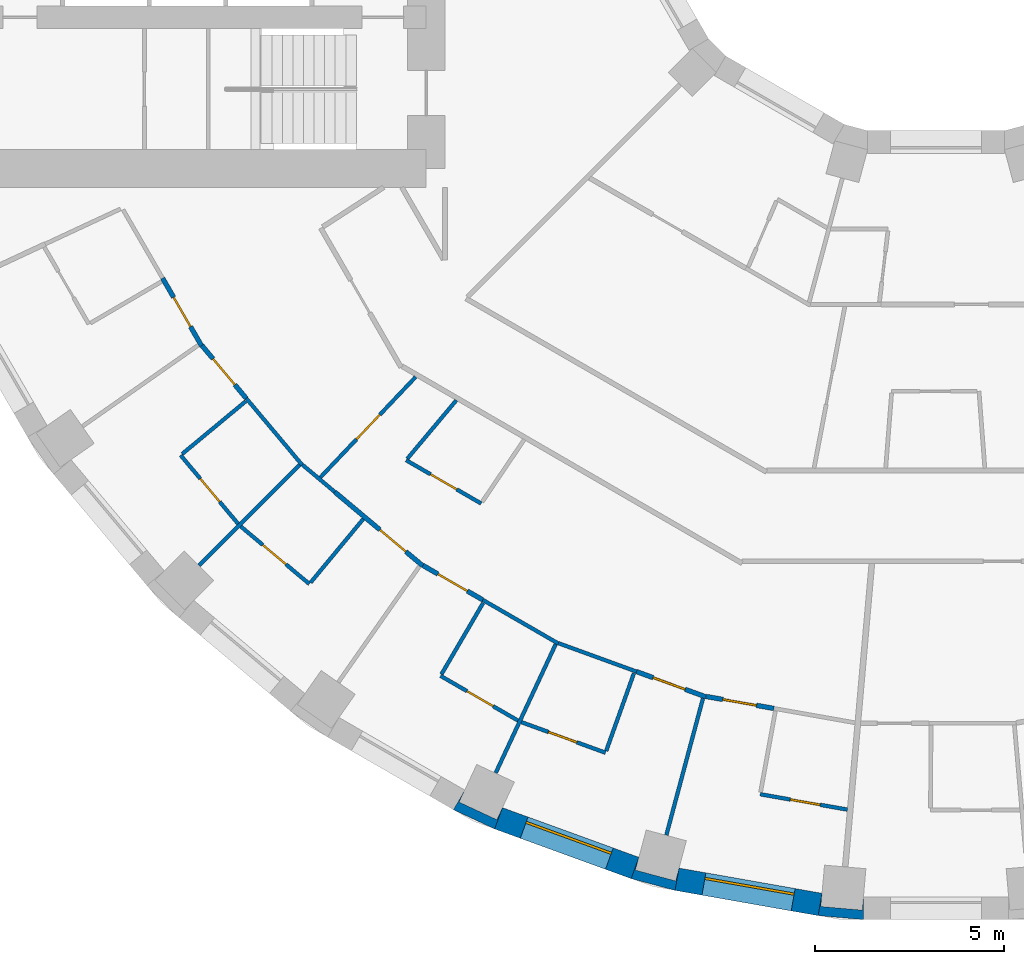
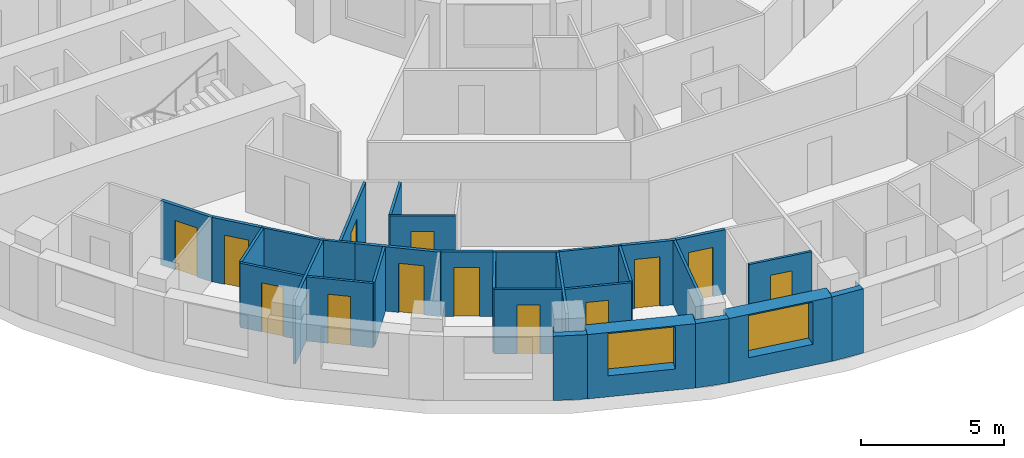
# One storey, part 4 of 15: 30 walls, 13 doors, 2 windows, 15 openings.
"""IFC4 building model written with IfcOpenShell, lengths in metres."""

from ifc_helpers import new_model, si_unit, direction, frame, frame_2d, origin, place, context, subcontext, project, spatial, polyline, rectangle, outline, extrude, material, layer, layer_set, type_object, element, fill, save


model = new_model("IFC4")

# Units and contexts
model_context = context("Model", 3, precision=1e-05, world=origin(), true_north=direction((0.0, 1.0)))
body_context = subcontext(model_context, "Body", "Model", "MODEL_VIEW")
ifc_project = project(units=[si_unit("LENGTHUNIT", "METRE"), si_unit("AREAUNIT", "SQUARE_METRE"), si_unit("VOLUMEUNIT", "CUBIC_METRE"), si_unit("PLANEANGLEUNIT", "RADIAN"), si_unit("MASSUNIT", "GRAM", prefix="KILO")], contexts=[model_context])

# Site, building, storey
site_placement = place(None, origin())
site = spatial("IfcSite", under=ifc_project, at=site_placement, CompositionType="ELEMENT")
building_placement = place(site_placement, origin())
building = spatial("IfcBuilding", under=site, at=building_placement, Name="Saqina Gate Tower", CompositionType="ELEMENT")
storey_placement = place(building_placement, frame((0.0, 0.0, 75.800048828125)))
storey = spatial("IfcBuildingStorey", under=building, at=storey_placement, Name="L21", CompositionType="ELEMENT", Elevation=75.800048828125)

# Walls
ifc_material_1 = material(Name="Brick masonry (red)", Category="masonry")
wall_type_1 = type_object("IfcWallType", Name="BRICK PIER COPING RED", PredefinedType="SOLIDWALL", material=ifc_material_1)
wall_1_placement = place(storey_placement, origin())
element("IfcWall", 1, at=wall_1_placement, inside=storey, type_object=wall_type_1, Name="Pier cap L21 column 25", PredefinedType="SOLIDWALL", context=body_context, shape_type="SweptSolid", body=[
    extrude(outline(polyline([(-11.687744140625, -26.48974609375), (-11.482666015625, -25.92578125), (-11.630615234375, -26.243408203125), (-12.627685546875, -25.778564453125), (-12.4794921875, -25.4609375), (-12.779541015625, -25.980712890625), (-11.687744140625, -26.48974609375)])), origin(), (0.0, 0.0, 1.0), 2.75),
])
wall_2_placement = place(storey_placement, origin())
element("IfcWall", 2, at=wall_2_placement, inside=storey, type_object=wall_type_1, Name="Pier cap L21 column 26", PredefinedType="SOLIDWALL", context=body_context, shape_type="SweptSolid", body=[
    extrude(outline(polyline([(-6.910400390625, -28.11669921875), (-6.80615234375, -27.52587890625), (-6.896728515625, -27.864501953125), (-7.95947265625, -27.57958984375), (-7.86865234375, -27.2412109375), (-8.073974609375, -27.80517578125), (-6.910400390625, -28.11669921875)])), origin(), (0.0, 0.0, 1.0), 2.75),
])
wall_3_placement = place(storey_placement, origin())
element("IfcWall", 3, at=wall_3_placement, inside=storey, type_object=wall_type_1, Name="Pier cap L21 column 27", PredefinedType="SOLIDWALL", context=body_context, shape_type="SweptSolid", body=[
    extrude(outline(polyline([(-3.122802734375, -28.78466796875), (-1.9228515625, -28.8896484375), (-1.9228515625, -28.28955078125), (-1.95361328125, -28.638671875), (-3.04931640625, -28.54296875), (-3.018798828125, -28.19384765625), (-3.122802734375, -28.78466796875)])), origin(), (0.0, 0.0, 1.0), 2.75),
])

# Wall, opening, window
ifc_material_2 = material(Name="Brick masonry (red)", Category="masonry")
ifc_layer_1 = layer(ifc_material_2, 0.60009765625)
ifc_layer_set_1 = layer_set([ifc_layer_1], Name="FW-BRICK-RED")
wall_type_2 = type_object("IfcWallType", Name="FW-BRICK-RED", PredefinedType="SOLIDWALL", material=ifc_layer_set_1)
wall_4_placement = place(storey_placement, frame((-11.585205078125, -26.207763671875, 0.0), z_axis=(0.0, 0.0, 1.0), x_axis=(0.939689588564, -0.342028474173, 0.0)))
wall_4 = element("IfcWall", 4, at=wall_4_placement, inside=storey, type_object=wall_type_2, Name="Facade wall L21 facet 25", PredefinedType="SOLIDWALL", context=body_context, shape_type="SweptSolid", body=[
    extrude(rectangle(XDim=3.845947265625, YDim=0.60009765625, at=frame_2d((1.9228515625, 0.0))), origin(), (0.0, 0.0, 1.0), 2.75),
])
opening_1_placement = place(wall_4_placement, frame((0.722900390625, 0.0, 0.89990234375)))
opening_1 = element("IfcOpeningElement", 5, at=opening_1_placement, cuts=wall_4, Name="Opening G06-W14", PredefinedType="OPENING", context=body_context, shape_type="SweptSolid", body=[
    extrude(rectangle(XDim=2.39990234375, YDim=1.800048828125, at=frame_2d((1.199951171875, 0.89990234375))), frame((0.0, 0.31201171875, 0.0), z_axis=(0.0, -1.0, 0.0), x_axis=(1.0, 0.0, 0.0)), (0.0, 0.0, 1.0), 0.6240234375),
])
ifc_material_3 = material(Name="Aluminium glazing", Category="aluminium")
window_type = type_object("IfcWindowType", Name="WN-A", PartitioningType="SINGLE_PANEL", PredefinedType="WINDOW", material=ifc_material_3)
window_1_placement = place(opening_1_placement, origin())
window_1 = element("IfcWindow", 6, at=window_1_placement, inside=storey, type_object=window_type, Name="Window L21 facet 25", OverallHeight=1.800048828125, OverallWidth=2.39990234375, PartitioningType="SINGLE_PANEL", PredefinedType="WINDOW", context=body_context, shape_type="SweptSolid", body=[
    extrude(rectangle(XDim=2.39990234375, YDim=1.800048828125, at=frame_2d((1.199951171875, 0.89990234375))), frame((0.0, 0.179931640625, 0.0), z_axis=(0.0, -1.0, 0.0), x_axis=(1.0, 0.0, 0.0)), (0.0, 0.0, 1.0), 0.06005859375),
])
fill(opening_1, window_1)

wall_5_placement = place(storey_placement, frame((-6.858154296875, -27.8212890625, 0.0), z_axis=(0.0, 0.0, 1.0), x_axis=(0.984800809218, -0.173687553279, 0.0)))
wall_5 = element("IfcWall", 7, at=wall_5_placement, inside=storey, type_object=wall_type_2, Name="Facade wall L21 facet 26", PredefinedType="SOLIDWALL", context=body_context, shape_type="SweptSolid", body=[
    extrude(rectangle(XDim=3.845703125, YDim=0.60009765625, at=frame_2d((1.9228515625, 0.0))), origin(), (0.0, 0.0, 1.0), 2.75),
])
opening_2_placement = place(wall_5_placement, frame((0.722900390625, 0.0, 0.89990234375)))
opening_2 = element("IfcOpeningElement", 8, at=opening_2_placement, cuts=wall_5, Name="Opening G06-W15", PredefinedType="OPENING", context=body_context, shape_type="SweptSolid", body=[
    extrude(rectangle(XDim=2.39990234375, YDim=1.800048828125, at=frame_2d((1.199951171875, 0.89990234375))), frame((0.0, 0.31201171875, 0.0), z_axis=(0.0, -1.0, 0.0), x_axis=(1.0, 0.0, 0.0)), (0.0, 0.0, 1.0), 0.6240234375),
])
window_2_placement = place(opening_2_placement, origin())
window_2 = element("IfcWindow", 9, at=window_2_placement, inside=storey, type_object=window_type, Name="Window L21 facet 26", OverallHeight=1.800048828125, OverallWidth=2.39990234375, PartitioningType="SINGLE_PANEL", PredefinedType="WINDOW", context=body_context, shape_type="SweptSolid", body=[
    extrude(rectangle(XDim=2.39990234375, YDim=1.800048828125, at=frame_2d((1.199951171875, 0.89990234375))), frame((0.0, 0.179931640625, 0.0), z_axis=(0.0, -1.0, 0.0), x_axis=(1.0, 0.0, 0.0)), (0.0, 0.0, 1.0), 0.06005859375),
])
fill(opening_2, window_2)

# Wall, opening, door
ifc_material_4 = material(Name="Gypsum board on steel studs, 100 mm", Category="steel")
ifc_layer_2 = layer(ifc_material_4, 0.10009765625)
ifc_layer_set_2 = layer_set([ifc_layer_2], Name="PARTITION 100")
wall_type_3 = type_object("IfcWallType", Name="PARTITION 100", PredefinedType="PARTITIONING", material=ifc_layer_set_2)
wall_6_placement = place(storey_placement, frame((-20.0029296875, -16.593994140625, 0.0), z_axis=(0.0, 0.0, 1.0), x_axis=(0.642582995886, -0.766216087927, 0.0)))
wall_6 = element("IfcWall", 10, at=wall_6_placement, inside=storey, type_object=wall_type_3, Name="PARTITION PW3-29", PredefinedType="PARTITIONING", context=body_context, shape_type="SweptSolid", body=[
    extrude(rectangle(XDim=2.36962890625, YDim=0.10009765625, at=frame_2d((1.184814453125, 0.0))), origin(), (0.0, 0.0, 1.0), 2.75),
])
opening_3_placement = place(wall_6_placement, frame((0.809814453125, 0.0, 0.0)))
opening_3 = element("IfcOpeningElement", 11, at=opening_3_placement, cuts=wall_6, Name="Opening G06-D38", PredefinedType="OPENING", context=body_context, shape_type="SweptSolid", body=[
    extrude(rectangle(XDim=0.800048828125, YDim=2.10009765625, at=frame_2d((0.39990234375, 1.050048828125))), frame((0.0, 0.06201171875, 0.0), z_axis=(0.0, -1.0, 0.0), x_axis=(1.0, 0.0, 0.0)), (0.0, 0.0, 1.0), 0.1240234375),
])
ifc_material_5 = material(Name="Timber door leaf, 800 mm", Category="wood")
door_type_1 = type_object("IfcDoorType", Name="DOOR 800 TIMBER", OperationType="SINGLE_SWING_LEFT", PredefinedType="DOOR", material=ifc_material_5)
door_1_placement = place(opening_3_placement, frame((0.800048828125, 0.0, 0.0), z_axis=(0.0, 0.0, 1.0), x_axis=(-1.0, 0.0, 0.0)))
door_1 = element("IfcDoor", 12, at=door_1_placement, inside=storey, type_object=door_type_1, Name="DOOR G06-D38", OperationType="SINGLE_SWING_LEFT", OverallHeight=2.10009765625, OverallWidth=0.800048828125, PredefinedType="DOOR", context=body_context, shape_type="SweptSolid", body=[
    extrude(rectangle(XDim=0.800048828125, YDim=2.10009765625, at=frame_2d((0.39990234375, 1.050048828125))), frame((0.0, 0.02490234375, 0.0), z_axis=(0.0, -1.0, 0.0), x_axis=(1.0, 0.0, 0.0)), (0.0, 0.0, 1.0), 0.050048828125),
])
fill(opening_3, door_1)

# Wall
wall_7_placement = place(storey_placement, frame((-18.26513671875, -15.087646484375, 0.0), z_axis=(0.0, 0.0, 1.0), x_axis=(0.642971075568, -0.765890459519, 0.0)))
element("IfcWall", 13, at=wall_7_placement, inside=storey, type_object=wall_type_3, Name="PARTITION PW3-30", PredefinedType="PARTITIONING", context=body_context, shape_type="SweptSolid", body=[
    extrude(rectangle(XDim=2.305908203125, YDim=0.10009765625, at=frame_2d((1.15283203125, 0.0))), origin(), (0.0, 0.0, 1.0), 2.75),
])

# Wall, opening, door
wall_8_placement = place(storey_placement, frame((-18.40966796875, -18.480224609375, 0.0), z_axis=(0.0, 0.0, 1.0), x_axis=(0.766216087927, -0.642582995886, 0.0)))
wall_8 = element("IfcWall", 14, at=wall_8_placement, inside=storey, type_object=wall_type_3, Name="PARTITION PW3-34", PredefinedType="PARTITIONING", context=body_context, shape_type="SweptSolid", body=[
    extrude(rectangle(XDim=2.36962890625, YDim=0.10009765625, at=frame_2d((1.184814453125, 0.0))), origin(), (0.0, 0.0, 1.0), 2.75),
])
opening_4_placement = place(wall_8_placement, frame((0.760009765625, 0.0, 0.0)))
opening_4 = element("IfcOpeningElement", 15, at=opening_4_placement, cuts=wall_8, Name="Opening G06-D40", PredefinedType="OPENING", context=body_context, shape_type="SweptSolid", body=[
    extrude(rectangle(XDim=0.800048828125, YDim=2.10009765625, at=frame_2d((0.39990234375, 1.050048828125))), frame((0.0, 0.06201171875, 0.0), z_axis=(0.0, -1.0, 0.0), x_axis=(1.0, 0.0, 0.0)), (0.0, 0.0, 1.0), 0.1240234375),
])
door_2_placement = place(opening_4_placement, frame((0.800048828125, 0.0, 0.0), z_axis=(0.0, 0.0, 1.0), x_axis=(-1.0, 0.0, 0.0)))
door_2 = element("IfcDoor", 16, at=door_2_placement, inside=storey, type_object=door_type_1, Name="DOOR G06-D40", OperationType="SINGLE_SWING_RIGHT", OverallHeight=2.10009765625, OverallWidth=0.800048828125, PredefinedType="DOOR", context=body_context, shape_type="SweptSolid", body=[
    extrude(rectangle(XDim=0.800048828125, YDim=2.10009765625, at=frame_2d((0.39990234375, 1.050048828125))), frame((0.0, 0.02490234375, 0.0), z_axis=(0.0, -1.0, 0.0), x_axis=(1.0, 0.0, 0.0)), (0.0, 0.0, 1.0), 0.050048828125),
])
fill(opening_4, door_2)

# Wall
wall_9_placement = place(storey_placement, frame((-16.776611328125, -16.84716796875, 0.0), z_axis=(0.0, 0.0, 1.0), x_axis=(0.765872525931, -0.642992436988, 0.0)))
element("IfcWall", 17, at=wall_9_placement, inside=storey, type_object=wall_type_3, Name="PARTITION PW3-35", PredefinedType="PARTITIONING", context=body_context, shape_type="SweptSolid", body=[
    extrude(rectangle(XDim=1.11865234375, YDim=0.10009765625, at=frame_2d((0.559326171875, 0.0))), origin(), (0.0, 0.0, 1.0), 2.75),
])

# Wall, opening, door
wall_10_placement = place(storey_placement, frame((-13.12109375, -22.43505859375, 0.0), z_axis=(0.0, 0.0, 1.0), x_axis=(0.865983086396, -0.500073288705, 0.0)))
wall_10 = element("IfcWall", 18, at=wall_10_placement, inside=storey, type_object=wall_type_3, Name="PARTITION PW3-38", PredefinedType="PARTITIONING", context=body_context, shape_type="SweptSolid", body=[
    extrude(rectangle(XDim=2.369384765625, YDim=0.10009765625, at=frame_2d((1.1845703125, 0.0))), origin(), (0.0, 0.0, 1.0), 2.75),
])
opening_5_placement = place(wall_10_placement, frame((0.809814453125, 0.0, 0.0)))
opening_5 = element("IfcOpeningElement", 19, at=opening_5_placement, cuts=wall_10, Name="Opening G06-D45", PredefinedType="OPENING", context=body_context, shape_type="SweptSolid", body=[
    extrude(rectangle(XDim=0.800048828125, YDim=2.10009765625, at=frame_2d((0.39990234375, 1.050048828125))), frame((0.0, 0.06201171875, 0.0), z_axis=(0.0, -1.0, 0.0), x_axis=(1.0, 0.0, 0.0)), (0.0, 0.0, 1.0), 0.1240234375),
])
door_3_placement = place(opening_5_placement, frame((0.800048828125, 0.0, 0.0), z_axis=(0.0, 0.0, 1.0), x_axis=(-1.0, 0.0, 0.0)))
door_3 = element("IfcDoor", 20, at=door_3_placement, inside=storey, type_object=door_type_1, Name="DOOR G06-D45", OperationType="SINGLE_SWING_LEFT", OverallHeight=2.10009765625, OverallWidth=0.800048828125, PredefinedType="DOOR", context=body_context, shape_type="SweptSolid", body=[
    extrude(rectangle(XDim=0.800048828125, YDim=2.10009765625, at=frame_2d((0.39990234375, 1.050048828125))), frame((0.0, 0.02490234375, 0.0), z_axis=(0.0, -1.0, 0.0), x_axis=(1.0, 0.0, 0.0)), (0.0, 0.0, 1.0), 0.050048828125),
])
fill(opening_5, door_3)

# Wall
wall_11_placement = place(storey_placement, frame((-12.00341796875, -20.424072265625, 0.0), z_axis=(0.0, 0.0, 1.0), x_axis=(0.865993433642, -0.500055369823, 0.0)))
element("IfcWall", 21, at=wall_11_placement, inside=storey, type_object=wall_type_3, Name="PARTITION PW3-39", PredefinedType="PARTITIONING", context=body_context, shape_type="SweptSolid", body=[
    extrude(rectangle(XDim=2.306396484375, YDim=0.10009765625, at=frame_2d((1.1533203125, 0.0))), origin(), (0.0, 0.0, 1.0), 2.75),
])

# Wall, opening, door
wall_12_placement = place(storey_placement, frame((-14.032958984375, -16.72412109375, 0.0), z_axis=(0.0, 0.0, 1.0), x_axis=(0.866073957571, -0.499915892944, 0.0)))
wall_12 = element("IfcWall", 22, at=wall_12_placement, inside=storey, type_object=wall_type_3, Name="PARTITION PW3-40", PredefinedType="PARTITIONING", context=body_context, shape_type="SweptSolid", body=[
    extrude(rectangle(XDim=2.29443359375, YDim=0.10009765625, at=frame_2d((1.147216796875, 0.0))), origin(), (0.0, 0.0, 1.0), 2.75),
])
opening_6_placement = place(wall_12_placement, frame((0.7470703125, 0.0, 0.0)))
opening_6 = element("IfcOpeningElement", 23, at=opening_6_placement, cuts=wall_12, Name="Opening G06-D42", PredefinedType="OPENING", context=body_context, shape_type="SweptSolid", body=[
    extrude(rectangle(XDim=0.800048828125, YDim=2.10009765625, at=frame_2d((0.39990234375, 1.050048828125))), frame((0.0, 0.06201171875, 0.0), z_axis=(0.0, -1.0, 0.0), x_axis=(1.0, 0.0, 0.0)), (0.0, 0.0, 1.0), 0.1240234375),
])
door_4_placement = place(opening_6_placement, frame((0.800048828125, 0.0, 0.0), z_axis=(0.0, 0.0, 1.0), x_axis=(-1.0, 0.0, 0.0)))
door_4 = element("IfcDoor", 24, at=door_4_placement, inside=storey, type_object=door_type_1, Name="DOOR G06-D42", OperationType="SINGLE_SWING_RIGHT", OverallHeight=2.10009765625, OverallWidth=0.800048828125, PredefinedType="DOOR", context=body_context, shape_type="SweptSolid", body=[
    extrude(rectangle(XDim=0.800048828125, YDim=2.10009765625, at=frame_2d((0.39990234375, 1.050048828125))), frame((0.0, 0.02490234375, 0.0), z_axis=(0.0, -1.0, 0.0), x_axis=(1.0, 0.0, 0.0)), (0.0, 0.0, 1.0), 0.050048828125),
])
fill(opening_6, door_4)

wall_13_placement = place(storey_placement, frame((-10.97900390625, -23.662109375, 0.0), z_axis=(0.0, 0.0, 1.0), x_axis=(0.939796431489, -0.341734790972, 0.0)))
wall_13 = element("IfcWall", 25, at=wall_13_placement, inside=storey, type_object=wall_type_3, Name="PARTITION PW3-49", PredefinedType="PARTITIONING", context=body_context, shape_type="SweptSolid", body=[
    extrude(rectangle(XDim=2.36962890625, YDim=0.10009765625, at=frame_2d((1.184814453125, 0.0))), origin(), (0.0, 0.0, 1.0), 2.75),
])
opening_7_placement = place(wall_13_placement, frame((0.760009765625, 0.0, 0.0)))
opening_7 = element("IfcOpeningElement", 26, at=opening_7_placement, cuts=wall_13, Name="Opening G06-D47", PredefinedType="OPENING", context=body_context, shape_type="SweptSolid", body=[
    extrude(rectangle(XDim=0.800048828125, YDim=2.10009765625, at=frame_2d((0.39990234375, 1.050048828125))), frame((0.0, 0.06201171875, 0.0), z_axis=(0.0, -1.0, 0.0), x_axis=(1.0, 0.0, 0.0)), (0.0, 0.0, 1.0), 0.1240234375),
])
door_5_placement = place(opening_7_placement, frame((0.800048828125, 0.0, 0.0), z_axis=(0.0, 0.0, 1.0), x_axis=(-1.0, 0.0, 0.0)))
door_5 = element("IfcDoor", 27, at=door_5_placement, inside=storey, type_object=door_type_1, Name="DOOR G06-D47", OperationType="SINGLE_SWING_RIGHT", OverallHeight=2.10009765625, OverallWidth=0.800048828125, PredefinedType="DOOR", context=body_context, shape_type="SweptSolid", body=[
    extrude(rectangle(XDim=0.800048828125, YDim=2.10009765625, at=frame_2d((0.39990234375, 1.050048828125))), frame((0.0, 0.02490234375, 0.0), z_axis=(0.0, -1.0, 0.0), x_axis=(1.0, 0.0, 0.0)), (0.0, 0.0, 1.0), 0.050048828125),
])
fill(opening_7, door_5)

# Wall
wall_14_placement = place(storey_placement, frame((-10.0029296875, -21.569091796875, 0.0), z_axis=(0.0, 0.0, 1.0), x_axis=(0.939728749343, -0.341920864613, 0.0)))
element("IfcWall", 28, at=wall_14_placement, inside=storey, type_object=wall_type_3, Name="PARTITION PW3-50", PredefinedType="PARTITIONING", context=body_context, shape_type="SweptSolid", body=[
    extrude(rectangle(XDim=2.204833984375, YDim=0.10009765625, at=frame_2d((1.1025390625, 0.0))), origin(), (0.0, 0.0, 1.0), 2.75),
])

# Wall, opening, door
wall_15_placement = place(storey_placement, frame((-4.656005859375, -25.570068359375, 0.0), z_axis=(0.0, 0.0, 1.0), x_axis=(0.984807668853, -0.173648654958, 0.0)))
wall_15 = element("IfcWall", 29, at=wall_15_placement, inside=storey, type_object=wall_type_3, Name="PARTITION PW3-53", PredefinedType="PARTITIONING", context=body_context, shape_type="SweptSolid", body=[
    extrude(rectangle(XDim=2.34375, YDim=0.10009765625, at=frame_2d((1.171875, 0.0))), origin(), (0.0, 0.0, 1.0), 2.75),
])
opening_8_placement = place(wall_15_placement, frame((0.809326171875, 0.0, 0.0)))
opening_8 = element("IfcOpeningElement", 30, at=opening_8_placement, cuts=wall_15, Name="Opening G06-D51", PredefinedType="OPENING", context=body_context, shape_type="SweptSolid", body=[
    extrude(rectangle(XDim=0.800048828125, YDim=2.10009765625, at=frame_2d((0.39990234375, 1.050048828125))), frame((0.0, 0.06201171875, 0.0), z_axis=(0.0, -1.0, 0.0), x_axis=(1.0, 0.0, 0.0)), (0.0, 0.0, 1.0), 0.1240234375),
])
door_6_placement = place(opening_8_placement, frame((0.800048828125, 0.0, 0.0), z_axis=(0.0, 0.0, 1.0), x_axis=(-1.0, 0.0, 0.0)))
door_6 = element("IfcDoor", 31, at=door_6_placement, inside=storey, type_object=door_type_1, Name="DOOR G06-D51", OperationType="SINGLE_SWING_LEFT", OverallHeight=2.10009765625, OverallWidth=0.800048828125, PredefinedType="DOOR", context=body_context, shape_type="SweptSolid", body=[
    extrude(rectangle(XDim=0.800048828125, YDim=2.10009765625, at=frame_2d((0.39990234375, 1.050048828125))), frame((0.0, 0.02490234375, 0.0), z_axis=(0.0, -1.0, 0.0), x_axis=(1.0, 0.0, 0.0)), (0.0, 0.0, 1.0), 0.050048828125),
])
fill(opening_8, door_6)

# Walls
wall_16_placement = place(storey_placement, frame((-19.964599609375, -16.56201171875, 0.0), z_axis=(0.0, 0.0, 1.0), x_axis=(0.769792742447, 0.638293924204, 0.0)))
element("IfcWall", 32, at=wall_16_placement, inside=storey, type_object=wall_type_3, Name="PARTITION PW3-87", PredefinedType="PARTITIONING", context=body_context, shape_type="SweptSolid", body=[
    extrude(rectangle(XDim=2.18701171875, YDim=0.10009765625, at=frame_2d((1.093505859375, 0.0))), origin(), (0.0, 0.0, 1.0), 2.75),
])
wall_17_placement = place(storey_placement, frame((-19.509033203125, -19.509033203125, 0.0), z_axis=(0.0, 0.0, 1.0), x_axis=(0.707106781187, 0.707106781187, 0.0)))
element("IfcWall", 33, at=wall_17_placement, inside=storey, type_object=wall_type_3, Name="PARTITION PW3-94", PredefinedType="PARTITIONING", context=body_context, shape_type="SweptSolid", body=[
    extrude(rectangle(XDim=3.760009765625, YDim=0.10009765625, at=frame_2d((1.8798828125, 0.0))), origin(), (0.0, 0.0, 1.0), 2.75),
])

# Wall, opening, door
wall_18_placement = place(storey_placement, frame((-16.302490234375, -17.1796875, 0.0), z_axis=(0.0, 0.0, 1.0), x_axis=(0.688231699575, 0.725490956319, 0.0)))
wall_18 = element("IfcWall", 34, at=wall_18_placement, inside=storey, type_object=wall_type_3, Name="PARTITION PW3-96", PredefinedType="PARTITIONING", context=body_context, shape_type="SweptSolid", body=[
    extrude(rectangle(XDim=3.66943359375, YDim=0.10009765625, at=frame_2d((1.834716796875, 0.0))), origin(), (0.0, 0.0, 1.0), 2.75),
])
opening_9_placement = place(wall_18_placement, frame((1.39111328125, 0.0, 0.0)))
opening_9 = element("IfcOpeningElement", 35, at=opening_9_placement, cuts=wall_18, Name="Opening G06-D39", PredefinedType="OPENING", context=body_context, shape_type="SweptSolid", body=[
    extrude(rectangle(XDim=0.89990234375, YDim=2.10009765625, at=frame_2d((0.449951171875, 1.050048828125))), frame((0.0, 0.06201171875, 0.0), z_axis=(0.0, -1.0, 0.0), x_axis=(1.0, 0.0, 0.0)), (0.0, 0.0, 1.0), 0.1240234375),
])
ifc_material_6 = material(Name="Timber door leaf, 900 mm", Category="wood")
door_type_2 = type_object("IfcDoorType", Name="DOOR 900 TIMBER", OperationType="SINGLE_SWING_LEFT", PredefinedType="DOOR", material=ifc_material_6)
door_7_placement = place(opening_9_placement, frame((0.89990234375, 0.0, 0.0), z_axis=(0.0, 0.0, 1.0), x_axis=(-1.0, 0.0, 0.0)))
door_7 = element("IfcDoor", 36, at=door_7_placement, inside=storey, type_object=door_type_2, Name="DOOR G06-D39", OperationType="SINGLE_SWING_LEFT", OverallHeight=2.10009765625, OverallWidth=0.89990234375, PredefinedType="DOOR", context=body_context, shape_type="SweptSolid", body=[
    extrude(rectangle(XDim=0.89990234375, YDim=2.10009765625, at=frame_2d((0.449951171875, 1.050048828125))), frame((0.0, 0.02490234375, 0.0), z_axis=(0.0, -1.0, 0.0), x_axis=(1.0, 0.0, 0.0)), (0.0, 0.0, 1.0), 0.050048828125),
])
fill(opening_9, door_7)

# Walls
wall_19_placement = place(storey_placement, frame((-14.0009765625, -16.685791015625, 0.0), z_axis=(0.0, 0.0, 1.0), x_axis=(0.642749630893, 0.766076309507, 0.0)))
element("IfcWall", 37, at=wall_19_placement, inside=storey, type_object=wall_type_3, Name="PARTITION PW3-98", PredefinedType="PARTITIONING", context=body_context, shape_type="SweptSolid", body=[
    extrude(rectangle(XDim=2.019287109375, YDim=0.10009765625, at=frame_2d((1.009765625, 0.0))), origin(), (0.0, 0.0, 1.0), 2.75),
])
wall_20_placement = place(storey_placement, frame((-16.56201171875, -19.964599609375, 0.0), z_axis=(0.0, 0.0, 1.0), x_axis=(0.638293924204, 0.769792742447, 0.0)))
element("IfcWall", 38, at=wall_20_placement, inside=storey, type_object=wall_type_3, Name="PARTITION PW3-99", PredefinedType="PARTITIONING", context=body_context, shape_type="SweptSolid", body=[
    extrude(rectangle(XDim=2.18701171875, YDim=0.10009765625, at=frame_2d((1.093505859375, 0.0))), origin(), (0.0, 0.0, 1.0), 2.75),
])
wall_21_placement = place(storey_placement, frame((-13.095703125, -22.391845703125, 0.0), z_axis=(0.0, 0.0, 1.0), x_axis=(0.504682514116, 0.863305021383, 0.0)))
element("IfcWall", 39, at=wall_21_placement, inside=storey, type_object=wall_type_3, Name="PARTITION PW3-104", PredefinedType="PARTITIONING", context=body_context, shape_type="SweptSolid", body=[
    extrude(rectangle(XDim=2.18798828125, YDim=0.10009765625, at=frame_2d((1.093994140625, 0.0))), origin(), (0.0, 0.0, 1.0), 2.75),
])
wall_22_placement = place(storey_placement, frame((-11.659912109375, -25.005126953125, 0.0), z_axis=(0.0, 0.0, 1.0), x_axis=(0.422579737865, 0.906325750018, 0.0)))
element("IfcWall", 40, at=wall_22_placement, inside=storey, type_object=wall_type_3, Name="PARTITION PW3-107", PredefinedType="PARTITIONING", context=body_context, shape_type="SweptSolid", body=[
    extrude(rectangle(XDim=3.760009765625, YDim=0.10009765625, at=frame_2d((1.8798828125, 0.0))), origin(), (0.0, 0.0, 1.0), 2.75),
])
wall_23_placement = place(storey_placement, frame((-8.735107421875, -24.4248046875, 0.0), z_axis=(0.0, 0.0, 1.0), x_axis=(0.336477788464, 0.941691402674, 0.0)))
element("IfcWall", 41, at=wall_23_placement, inside=storey, type_object=wall_type_3, Name="PARTITION PW3-110", PredefinedType="PARTITIONING", context=body_context, shape_type="SweptSolid", body=[
    extrude(rectangle(XDim=2.1875, YDim=0.10009765625, at=frame_2d((1.09375, 0.0))), origin(), (0.0, 0.0, 1.0), 2.75),
])
wall_24_placement = place(storey_placement, frame((-7.140625, -26.64990234375, 0.0), z_axis=(0.0, 0.0, 1.0), x_axis=(0.258720887447, 0.965952122208, 0.0)))
element("IfcWall", 42, at=wall_24_placement, inside=storey, type_object=wall_type_3, Name="PARTITION PW3-112", PredefinedType="PARTITIONING", context=body_context, shape_type="SweptSolid", body=[
    extrude(rectangle(XDim=3.747314453125, YDim=0.10009765625, at=frame_2d((1.87353515625, 0.0))), origin(), (0.0, 0.0, 1.0), 2.75),
])

# Wall, opening, door
ifc_material_7 = material(Name="Gypsum board on steel studs, 125 mm, fire rated", Category="steel")
ifc_layer_3 = layer(ifc_material_7, 0.125)
ifc_layer_set_3 = layer_set([ifc_layer_3], Name="PARTITION EI 30 125")
wall_type_4 = type_object("IfcWallType", Name="PARTITION EI 30 125", PredefinedType="PARTITIONING", material=ifc_layer_set_3)
wall_25_placement = place(storey_placement, frame((-20.480224609375, -11.90576171875, 0.0), z_axis=(0.0, 0.0, 1.0), x_axis=(0.499101616471, -0.866543464828, 0.0)))
wall_25 = element("IfcWall", 43, at=wall_25_placement, inside=storey, type_object=wall_type_4, Name="PARTITION PW1-03", PredefinedType="PARTITIONING", context=body_context, shape_type="SweptSolid", body=[
    extrude(rectangle(XDim=2.065673828125, YDim=0.125, at=frame_2d((1.03271484375, 0.0))), origin(), (0.0, 0.0, 1.0), 2.75),
])
opening_10_placement = place(wall_25_placement, frame((0.582275390625, 0.0, 0.0)))
opening_10 = element("IfcOpeningElement", 44, at=opening_10_placement, cuts=wall_25, Name="Opening G06-D35", PredefinedType="OPENING", context=body_context, shape_type="SweptSolid", body=[
    extrude(rectangle(XDim=0.89990234375, YDim=2.10009765625, at=frame_2d((0.449951171875, 1.050048828125))), frame((0.0, 0.074462890625, 0.0), z_axis=(0.0, -1.0, 0.0), x_axis=(1.0, 0.0, 0.0)), (0.0, 0.0, 1.0), 0.14892578125),
])
ifc_material_8 = material(Name="Fire door leaf EI 30, 900 mm")
door_type_3 = type_object("IfcDoorType", Name="DOOR 900 EI 30", OperationType="SINGLE_SWING_LEFT", PredefinedType="DOOR", material=ifc_material_8)
door_8_placement = place(opening_10_placement, origin())
door_8 = element("IfcDoor", 45, at=door_8_placement, inside=storey, type_object=door_type_3, Name="DOOR G06-D35", OperationType="SINGLE_SWING_RIGHT", OverallHeight=2.10009765625, OverallWidth=0.89990234375, PredefinedType="DOOR", context=body_context, shape_type="SweptSolid", body=[
    extrude(rectangle(XDim=0.89990234375, YDim=2.10009765625, at=frame_2d((0.449951171875, 1.050048828125))), frame((0.0, 0.02490234375, 0.0), z_axis=(0.0, -1.0, 0.0), x_axis=(1.0, 0.0, 0.0)), (0.0, 0.0, 1.0), 0.050048828125),
])
fill(opening_10, door_8)

wall_26_placement = place(storey_placement, frame((-19.43994140625, -13.68798828125, 0.0), z_axis=(0.0, 0.0, 1.0), x_axis=(0.642900643574, -0.765949582213, 0.0)))
wall_26 = element("IfcWall", 46, at=wall_26_placement, inside=storey, type_object=wall_type_4, Name="PARTITION PW1-10", PredefinedType="PARTITIONING", context=body_context, shape_type="SweptSolid", body=[
    extrude(rectangle(XDim=1.827392578125, YDim=0.125, at=frame_2d((0.91357421875, 0.0))), origin(), (0.0, 0.0, 1.0), 2.75),
])
opening_11_placement = place(wall_26_placement, frame((0.45751953125, 0.0, 0.0)))
opening_11 = element("IfcOpeningElement", 47, at=opening_11_placement, cuts=wall_26, Name="Opening G06-D36", PredefinedType="OPENING", context=body_context, shape_type="SweptSolid", body=[
    extrude(rectangle(XDim=0.89990234375, YDim=2.10009765625, at=frame_2d((0.449951171875, 1.050048828125))), frame((0.0, 0.074462890625, 0.0), z_axis=(0.0, -1.0, 0.0), x_axis=(1.0, 0.0, 0.0)), (0.0, 0.0, 1.0), 0.14892578125),
])
door_9_placement = place(opening_11_placement, origin())
door_9 = element("IfcDoor", 48, at=door_9_placement, inside=storey, type_object=door_type_3, Name="DOOR G06-D36", OperationType="SINGLE_SWING_LEFT", OverallHeight=2.10009765625, OverallWidth=0.89990234375, PredefinedType="DOOR", context=body_context, shape_type="SweptSolid", body=[
    extrude(rectangle(XDim=0.89990234375, YDim=2.10009765625, at=frame_2d((0.449951171875, 1.050048828125))), frame((0.0, 0.02490234375, 0.0), z_axis=(0.0, -1.0, 0.0), x_axis=(1.0, 0.0, 0.0)), (0.0, 0.0, 1.0), 0.050048828125),
])
fill(opening_11, door_9)

wall_27_placement = place(storey_placement, frame((-15.920166015625, -17.566650390625, 0.0), z_axis=(0.0, 0.0, 1.0), x_axis=(0.766051220133, -0.642779533069, 0.0)))
wall_27 = element("IfcWall", 49, at=wall_27_placement, inside=storey, type_object=wall_type_4, Name="PARTITION PW1-16", PredefinedType="PARTITIONING", context=body_context, shape_type="SweptSolid", body=[
    extrude(rectangle(XDim=3.0400390625, YDim=0.125, at=frame_2d((1.52001953125, 0.0))), origin(), (0.0, 0.0, 1.0), 2.75),
])
opening_12_placement = place(wall_27_placement, frame((1.556640625, 0.0, 0.0)))
opening_12 = element("IfcOpeningElement", 50, at=opening_12_placement, cuts=wall_27, Name="Opening G06-D41", PredefinedType="OPENING", context=body_context, shape_type="SweptSolid", body=[
    extrude(rectangle(XDim=0.89990234375, YDim=2.10009765625, at=frame_2d((0.449951171875, 1.050048828125))), frame((0.0, 0.074462890625, 0.0), z_axis=(0.0, -1.0, 0.0), x_axis=(1.0, 0.0, 0.0)), (0.0, 0.0, 1.0), 0.14892578125),
])
door_10_placement = place(opening_12_placement, origin())
door_10 = element("IfcDoor", 51, at=door_10_placement, inside=storey, type_object=door_type_3, Name="DOOR G06-D41", OperationType="SINGLE_SWING_RIGHT", OverallHeight=2.10009765625, OverallWidth=0.89990234375, PredefinedType="DOOR", context=body_context, shape_type="SweptSolid", body=[
    extrude(rectangle(XDim=0.89990234375, YDim=2.10009765625, at=frame_2d((0.449951171875, 1.050048828125))), frame((0.0, 0.02490234375, 0.0), z_axis=(0.0, -1.0, 0.0), x_axis=(1.0, 0.0, 0.0)), (0.0, 0.0, 1.0), 0.050048828125),
])
fill(opening_12, door_10)

wall_28_placement = place(storey_placement, frame((-13.5859375, -19.51123046875, 0.0), z_axis=(0.0, 0.0, 1.0), x_axis=(0.866221180263, -0.499660751775, 0.0)))
wall_28 = element("IfcWall", 52, at=wall_28_placement, inside=storey, type_object=wall_type_4, Name="PARTITION PW1-21", PredefinedType="PARTITIONING", context=body_context, shape_type="SweptSolid", body=[
    extrude(rectangle(XDim=1.826904296875, YDim=0.125, at=frame_2d((0.91357421875, 0.0))), origin(), (0.0, 0.0, 1.0), 2.75),
])
opening_13_placement = place(wall_28_placement, frame((0.457275390625, 0.0, 0.0)))
opening_13 = element("IfcOpeningElement", 53, at=opening_13_placement, cuts=wall_28, Name="Opening G06-D44", PredefinedType="OPENING", context=body_context, shape_type="SweptSolid", body=[
    extrude(rectangle(XDim=0.89990234375, YDim=2.10009765625, at=frame_2d((0.449951171875, 1.050048828125))), frame((0.0, 0.074462890625, 0.0), z_axis=(0.0, -1.0, 0.0), x_axis=(1.0, 0.0, 0.0)), (0.0, 0.0, 1.0), 0.14892578125),
])
door_11_placement = place(opening_13_placement, origin())
door_11 = element("IfcDoor", 54, at=door_11_placement, inside=storey, type_object=door_type_3, Name="DOOR G06-D44", OperationType="SINGLE_SWING_LEFT", OverallHeight=2.10009765625, OverallWidth=0.89990234375, PredefinedType="DOOR", context=body_context, shape_type="SweptSolid", body=[
    extrude(rectangle(XDim=0.89990234375, YDim=2.10009765625, at=frame_2d((0.449951171875, 1.050048828125))), frame((0.0, 0.02490234375, 0.0), z_axis=(0.0, -1.0, 0.0), x_axis=(1.0, 0.0, 0.0)), (0.0, 0.0, 1.0), 0.050048828125),
])
fill(opening_13, door_11)

wall_29_placement = place(storey_placement, frame((-7.930908203125, -22.322998046875, 0.0), z_axis=(0.0, 0.0, 1.0), x_axis=(0.9395852567, -0.342314979795, 0.0)))
wall_29 = element("IfcWall", 55, at=wall_29_placement, inside=storey, type_object=wall_type_4, Name="PARTITION PW1-27", PredefinedType="PARTITIONING", context=body_context, shape_type="SweptSolid", body=[
    extrude(rectangle(XDim=1.953369140625, YDim=0.125, at=frame_2d((0.9765625, 0.0))), origin(), (0.0, 0.0, 1.0), 2.75),
])
opening_14_placement = place(wall_29_placement, frame((0.47021484375, 0.0, 0.0)))
opening_14 = element("IfcOpeningElement", 56, at=opening_14_placement, cuts=wall_29, Name="Opening G06-D48", PredefinedType="OPENING", context=body_context, shape_type="SweptSolid", body=[
    extrude(rectangle(XDim=0.89990234375, YDim=2.10009765625, at=frame_2d((0.449951171875, 1.050048828125))), frame((0.0, 0.074462890625, 0.0), z_axis=(0.0, -1.0, 0.0), x_axis=(1.0, 0.0, 0.0)), (0.0, 0.0, 1.0), 0.14892578125),
])
door_12_placement = place(opening_14_placement, origin())
door_12 = element("IfcDoor", 57, at=door_12_placement, inside=storey, type_object=door_type_3, Name="DOOR G06-D48", OperationType="SINGLE_SWING_RIGHT", OverallHeight=2.10009765625, OverallWidth=0.89990234375, PredefinedType="DOOR", context=body_context, shape_type="SweptSolid", body=[
    extrude(rectangle(XDim=0.89990234375, YDim=2.10009765625, at=frame_2d((0.449951171875, 1.050048828125))), frame((0.0, 0.02490234375, 0.0), z_axis=(0.0, -1.0, 0.0), x_axis=(1.0, 0.0, 0.0)), (0.0, 0.0, 1.0), 0.050048828125),
])
fill(opening_14, door_12)

wall_30_placement = place(storey_placement, frame((-6.093505859375, -22.98095703125, 0.0), z_axis=(0.0, 0.0, 1.0), x_axis=(0.984813123205, -0.173617719035, 0.0)))
wall_30 = element("IfcWall", 58, at=wall_30_placement, inside=storey, type_object=wall_type_4, Name="PARTITION PW1-29", PredefinedType="PARTITIONING", context=body_context, shape_type="SweptSolid", body=[
    extrude(rectangle(XDim=1.828125, YDim=0.125, at=frame_2d((0.9140625, 0.0))), origin(), (0.0, 0.0, 1.0), 2.75),
])
opening_15_placement = place(wall_30_placement, frame((0.457763671875, 0.0, 0.0)))
opening_15 = element("IfcOpeningElement", 59, at=opening_15_placement, cuts=wall_30, Name="Opening G06-D49", PredefinedType="OPENING", context=body_context, shape_type="SweptSolid", body=[
    extrude(rectangle(XDim=0.89990234375, YDim=2.10009765625, at=frame_2d((0.449951171875, 1.050048828125))), frame((0.0, 0.074462890625, 0.0), z_axis=(0.0, -1.0, 0.0), x_axis=(1.0, 0.0, 0.0)), (0.0, 0.0, 1.0), 0.14892578125),
])
door_13_placement = place(opening_15_placement, origin())
door_13 = element("IfcDoor", 60, at=door_13_placement, inside=storey, type_object=door_type_3, Name="DOOR G06-D49", OperationType="SINGLE_SWING_LEFT", OverallHeight=2.10009765625, OverallWidth=0.89990234375, PredefinedType="DOOR", context=body_context, shape_type="SweptSolid", body=[
    extrude(rectangle(XDim=0.89990234375, YDim=2.10009765625, at=frame_2d((0.449951171875, 1.050048828125))), frame((0.0, 0.02490234375, 0.0), z_axis=(0.0, -1.0, 0.0), x_axis=(1.0, 0.0, 0.0)), (0.0, 0.0, 1.0), 0.050048828125),
])
fill(opening_15, door_13)

save(model, "model.ifc")
